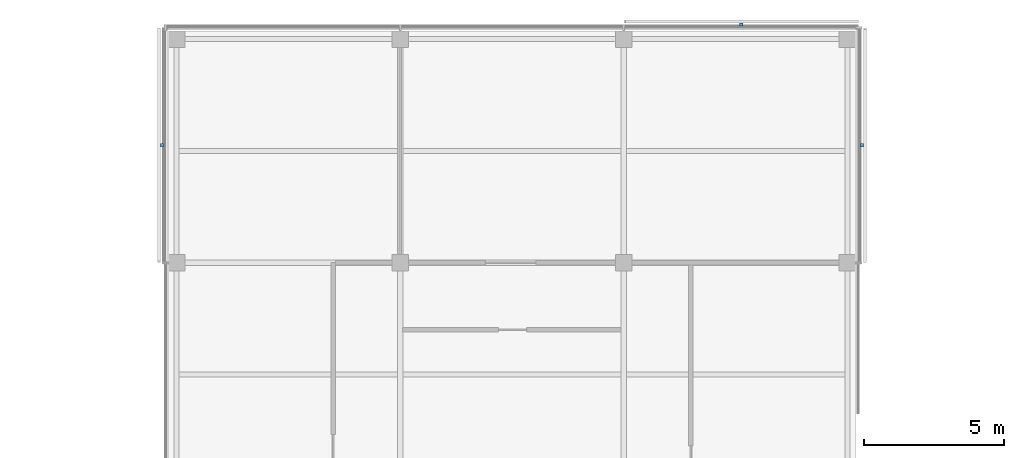
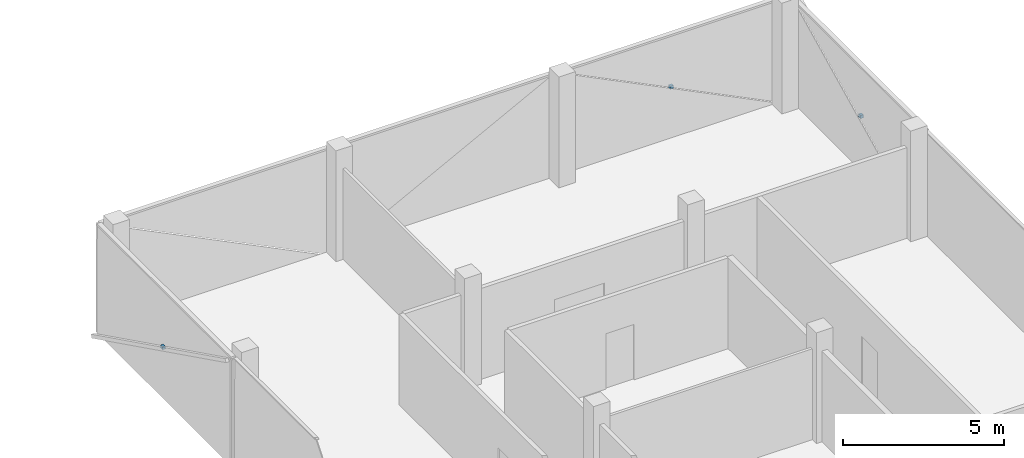
# One storey, part 14 of 15: 3 discrete accessories.
"""IFC4 building model written with IfcOpenShell, lengths in metres."""

from ifc_helpers import new_model, si_unit, direction, frame, origin, origin_2d, place, context, subcontext, project, spatial, rectangle, extrude, material, type_object, element, save


model = new_model("IFC4")

# Units and contexts
model_context = context("Model", 3, precision=1e-05, world=origin(), true_north=direction((0.0, 1.0)))
body_context = subcontext(model_context, "Body", "Model", "MODEL_VIEW")
ifc_project = project(units=[si_unit("LENGTHUNIT", "METRE"), si_unit("AREAUNIT", "SQUARE_METRE"), si_unit("VOLUMEUNIT", "CUBIC_METRE"), si_unit("PLANEANGLEUNIT", "RADIAN"), si_unit("MASSUNIT", "GRAM", prefix="KILO")], contexts=[model_context])

# Site, building, storey
site_placement = place(None, origin())
site = spatial("IfcSite", under=ifc_project, at=site_placement, CompositionType="ELEMENT")
building_placement = place(site_placement, origin())
building = spatial("IfcBuilding", under=site, at=building_placement, Name="Crosswind Convention Tower", CompositionType="ELEMENT")
storey_placement = place(building_placement, frame((0.0, 0.0, 319.699951171875)))
storey = spatial("IfcBuildingStorey", under=building, at=storey_placement, Name="L69", CompositionType="ELEMENT", Elevation=319.699951171875)

# Discrete accessories
ifc_material = material(Name="Stainless steel", Category="steel")
discrete_accessory_type = type_object("IfcDiscreteAccessoryType", Name="BAGUETTE BRACKET BK3", PredefinedType="BRACKET", material=ifc_material)
for number, where, z_axis, x_axis, name in (
    (1, (137.52587890625, 124.205078125, 1.705078125), (0.0, 0.0, 1.0), (0.0, 1.0, 0.0), "BK3 baguette bracket"),
    (2, (133.205078125, 128.52587890625, 1.705078125), (0.0, 0.0, 1.0), (-1.0, 0.0, 0.0), "BK3 baguette bracket"),
    (3, (112.47412109375, 124.205078125, 1.705078125), (0.0, 0.0, 1.0), (0.0, -1.0, 0.0), "BK3 baguette bracket"),
):
    element("IfcDiscreteAccessory", number, at=place(storey_placement, frame(where, z_axis=z_axis, x_axis=x_axis)), inside=storey, type_object=discrete_accessory_type, Name=name, PredefinedType="BRACKET", context=body_context, shape_type="SweptSolid", body=[
        extrude(rectangle(XDim=0.1201171875, YDim=0.10009765625, at=origin_2d()), origin(), (0.0, 0.0, 1.0), 0.1201171875),
    ])

save(model, "model.ifc")
